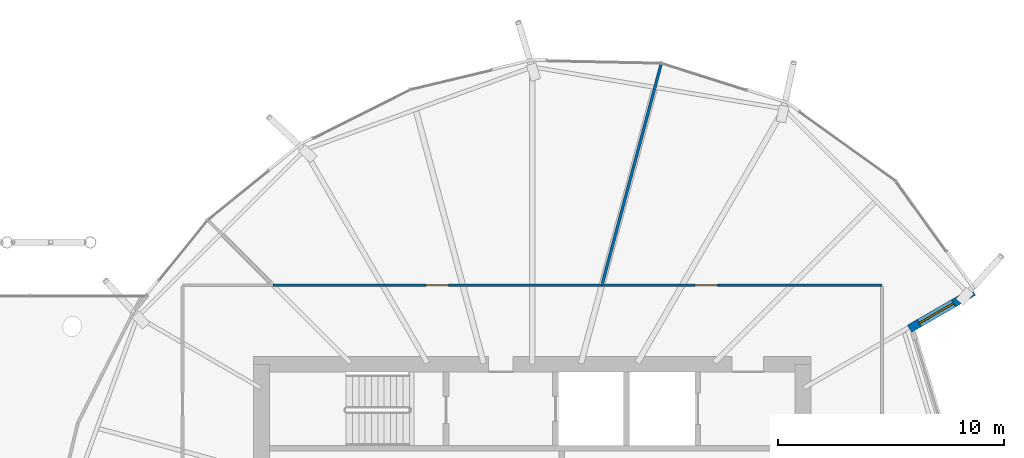
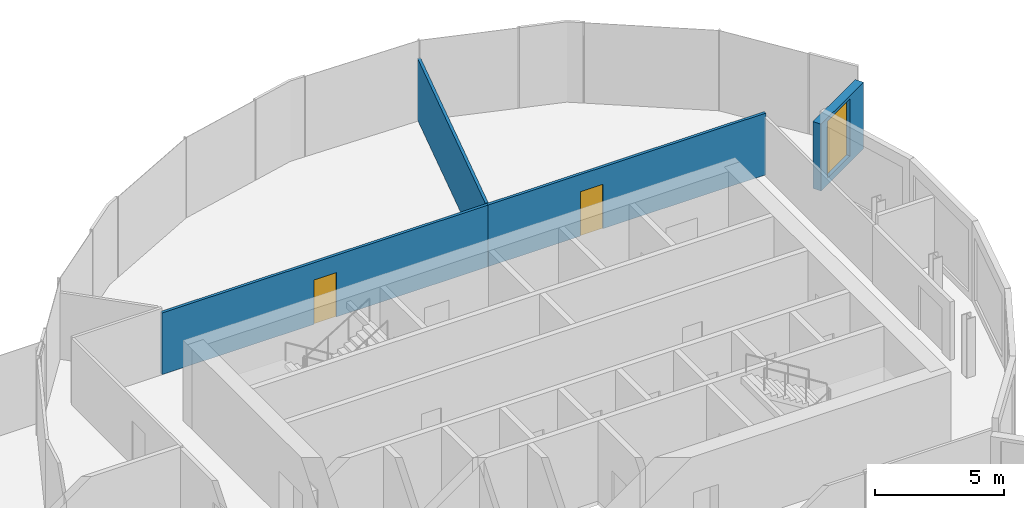
# One storey, part 29 of 40: 4 walls, 2 doors, 1 window, 3 openings.
"""IFC4 building model written with IfcOpenShell, lengths in metres."""

from ifc_helpers import new_model, si_unit, direction, frame, frame_2d, origin, place, context, subcontext, project, spatial, rectangle, extrude, material, layer, layer_set, type_object, element, fill, save


model = new_model("IFC4")

# Units and contexts
model_context = context("Model", 3, precision=1e-05, world=origin(), true_north=direction((0.0, 1.0)))
body_context = subcontext(model_context, "Body", "Model", "MODEL_VIEW")
ifc_project = project(units=[si_unit("LENGTHUNIT", "METRE"), si_unit("AREAUNIT", "SQUARE_METRE"), si_unit("VOLUMEUNIT", "CUBIC_METRE"), si_unit("PLANEANGLEUNIT", "RADIAN"), si_unit("MASSUNIT", "GRAM", prefix="KILO")], contexts=[model_context])

# Site, building, storey
site_placement = place(None, origin())
site = spatial("IfcSite", under=ifc_project, at=site_placement, CompositionType="ELEMENT")
building_placement = place(site_placement, origin())
building = spatial("IfcBuilding", under=site, at=building_placement, Name="Rimbun Link Towers", CompositionType="ELEMENT")
storey_placement = place(building_placement, frame((0.0, 0.0, 150.60009765625)))
storey = spatial("IfcBuildingStorey", under=building, at=storey_placement, Name="L36", CompositionType="ELEMENT", Elevation=150.60009765625)

# Wall, opening, window
ifc_material_1 = material(Name="Dark enamelled glass spandrel on insulated aluminium backpan", Category="aluminium")
ifc_layer_1 = layer(ifc_material_1, 0.3701171875)
ifc_layer_set_1 = layer_set([ifc_layer_1], Name="CS dark enamelled spandrel wall 370")
wall_type_1 = type_object("IfcWallType", Name="CS dark enamelled spandrel wall 370", PredefinedType="STANDARD", material=ifc_layer_set_1)
wall_1_placement = place(storey_placement, frame((51.304443359375, 11.214599609375, 0.0), z_axis=(0.0, 0.0, 1.0), x_axis=(-0.866040564224, -0.499973740429, 0.0)))
wall_1 = element("IfcWall", 1, at=wall_1_placement, inside=storey, type_object=wall_type_1, Name="Crease spandrel wall", PredefinedType="STANDARD", context=body_context, shape_type="SweptSolid", body=[
    extrude(rectangle(XDim=3.280029296875, YDim=0.3701171875, at=frame_2d((1.64013671875, 0.0))), origin(), (0.0, 0.0, 1.0), 3.156494140625),
])
opening_1_placement = place(wall_1_placement, frame((1.031494140625, 0.0, 0.300048828125)))
opening_1 = element("IfcOpeningElement", 2, at=opening_1_placement, cuts=wall_1, Name="Opening WR18H270", PredefinedType="OPENING", context=body_context, shape_type="SweptSolid", body=[
    extrude(rectangle(XDim=1.75, YDim=2.699951171875, at=frame_2d((0.875, 1.35009765625))), frame((0.0, 0.195068359375, 0.0), z_axis=(0.0, -1.0, 0.0), x_axis=(1.0, 0.0, 0.0)), (0.0, 0.0, 1.0), 0.39013671875),
])
ifc_material_2 = material(Name="Aluminium framed fixed window, dark tinted low-e glass", Category="aluminium")
window_type = type_object("IfcWindowType", Name="WR ribbon window 1750X2700", PartitioningType="SINGLE_PANEL", PredefinedType="WINDOW", material=ifc_material_2)
window_placement = place(opening_1_placement, origin())
window = element("IfcWindow", 3, at=window_placement, inside=storey, type_object=window_type, Name="Crease ribbon window", OverallHeight=2.699951171875, OverallWidth=1.75, PartitioningType="SINGLE_PANEL", PredefinedType="WINDOW", context=body_context, shape_type="SweptSolid", body=[
    extrude(rectangle(XDim=1.75, YDim=2.699951171875, at=frame_2d((0.875, 1.35009765625))), frame((0.0, 0.030029296875, 0.0), z_axis=(0.0, -1.0, 0.0), x_axis=(1.0, 0.0, 0.0)), (0.0, 0.0, 1.0), 0.06005859375),
])
fill(opening_1, window)

# Wall, opening, door
ifc_material_3 = material(Name="Gypsum board on steel studs", Category="steel")
ifc_layer_2 = layer(ifc_material_3, 0.125)
ifc_layer_set_2 = layer_set([ifc_layer_2], Name="Partition 125 board on studs")
wall_type_2 = type_object("IfcWallType", Name="Partition 125 board on studs", PredefinedType="PARTITIONING", material=ifc_layer_set_2)
wall_2_placement = place(storey_placement, frame((47.25, 11.5, 0.0), z_axis=(0.0, 0.0, 1.0), x_axis=(-1.0, 0.0, 0.0)))
wall_2 = element("IfcWall", 4, at=wall_2_placement, inside=storey, type_object=wall_type_2, Name="TW/PW/L36/044", PredefinedType="PARTITIONING", context=body_context, shape_type="SweptSolid", body=[
    extrude(rectangle(XDim=12.418701171875, YDim=0.125, at=frame_2d((6.20947265625, 0.0))), origin(), (0.0, 0.0, 1.0), 2.9169921875),
])
opening_2_placement = place(wall_2_placement, frame((7.287109375, 0.0, 0.0)))
opening_2 = element("IfcOpeningElement", 5, at=opening_2_placement, cuts=wall_2, Name="Opening TW D36.15", PredefinedType="OPENING", context=body_context, shape_type="SweptSolid", body=[
    extrude(rectangle(XDim=1.0, YDim=2.10009765625, at=frame_2d((0.5, 1.050048828125))), frame((0.0, 0.072509765625, 0.0), z_axis=(0.0, -1.0, 0.0), x_axis=(1.0, 0.0, 0.0)), (0.0, 0.0, 1.0), 0.14501953125),
])
ifc_material_4 = material(Name="Timber door set", Category="wood")
door_type = type_object("IfcDoorType", Name="Door single leaf 1000 x 2100", OperationType="NOTDEFINED", PredefinedType="DOOR", material=ifc_material_4)
door_1_placement = place(opening_2_placement, origin())
door_1 = element("IfcDoor", 6, at=door_1_placement, inside=storey, type_object=door_type, Name="TW/DR/L36/015", OperationType="SINGLE_SWING_RIGHT", OverallHeight=2.10009765625, OverallWidth=1.0, PredefinedType="DOOR", context=body_context, shape_type="SweptSolid", body=[
    extrude(rectangle(XDim=1.0, YDim=2.10009765625, at=frame_2d((0.5, 1.050048828125))), frame((0.0, 0.02490234375, 0.0), z_axis=(0.0, -1.0, 0.0), x_axis=(1.0, 0.0, 0.0)), (0.0, 0.0, 1.0), 0.050048828125),
])
fill(opening_2, door_1)

wall_3_placement = place(storey_placement, frame((34.831298828125, 11.5, 0.0), z_axis=(0.0, 0.0, 1.0), x_axis=(-1.0, 0.0, 0.0)))
wall_3 = element("IfcWall", 7, at=wall_3_placement, inside=storey, type_object=wall_type_2, Name="TW/PW/L36/046", PredefinedType="PARTITIONING", context=body_context, shape_type="SweptSolid", body=[
    extrude(rectangle(XDim=14.581298828125, YDim=0.125, at=frame_2d((7.29052734375, 0.0))), origin(), (0.0, 0.0, 1.0), 2.9169921875),
])
opening_3_placement = place(wall_3_placement, frame((6.791015625, 0.0, 0.0)))
opening_3 = element("IfcOpeningElement", 8, at=opening_3_placement, cuts=wall_3, Name="Opening TW D36.16", PredefinedType="OPENING", context=body_context, shape_type="SweptSolid", body=[
    extrude(rectangle(XDim=1.0, YDim=2.10009765625, at=frame_2d((0.5, 1.050048828125))), frame((0.0, 0.072509765625, 0.0), z_axis=(0.0, -1.0, 0.0), x_axis=(1.0, 0.0, 0.0)), (0.0, 0.0, 1.0), 0.14501953125),
])
door_2_placement = place(opening_3_placement, origin())
door_2 = element("IfcDoor", 9, at=door_2_placement, inside=storey, type_object=door_type, Name="TW/DR/L36/016", OperationType="SINGLE_SWING_LEFT", OverallHeight=2.10009765625, OverallWidth=1.0, PredefinedType="DOOR", context=body_context, shape_type="SweptSolid", body=[
    extrude(rectangle(XDim=1.0, YDim=2.10009765625, at=frame_2d((0.5, 1.050048828125))), frame((0.0, 0.02490234375, 0.0), z_axis=(0.0, -1.0, 0.0), x_axis=(1.0, 0.0, 0.0)), (0.0, 0.0, 1.0), 0.050048828125),
])
fill(opening_3, door_2)

# Wall
wall_4_placement = place(storey_placement, frame((37.48095703125, 21.38818359375, 0.0), z_axis=(0.0, 0.0, 1.0), x_axis=(-0.258814591656, -0.965927019575, 0.0)))
element("IfcWall", 10, at=wall_4_placement, inside=storey, type_object=wall_type_2, Name="TW/PW/L36/059", PredefinedType="PARTITIONING", context=body_context, shape_type="SweptSolid", body=[
    extrude(rectangle(XDim=10.155517578125, YDim=0.125, at=frame_2d((5.07763671875, 0.0))), origin(), (0.0, 0.0, 1.0), 2.9169921875),
])

save(model, "model.ifc")
